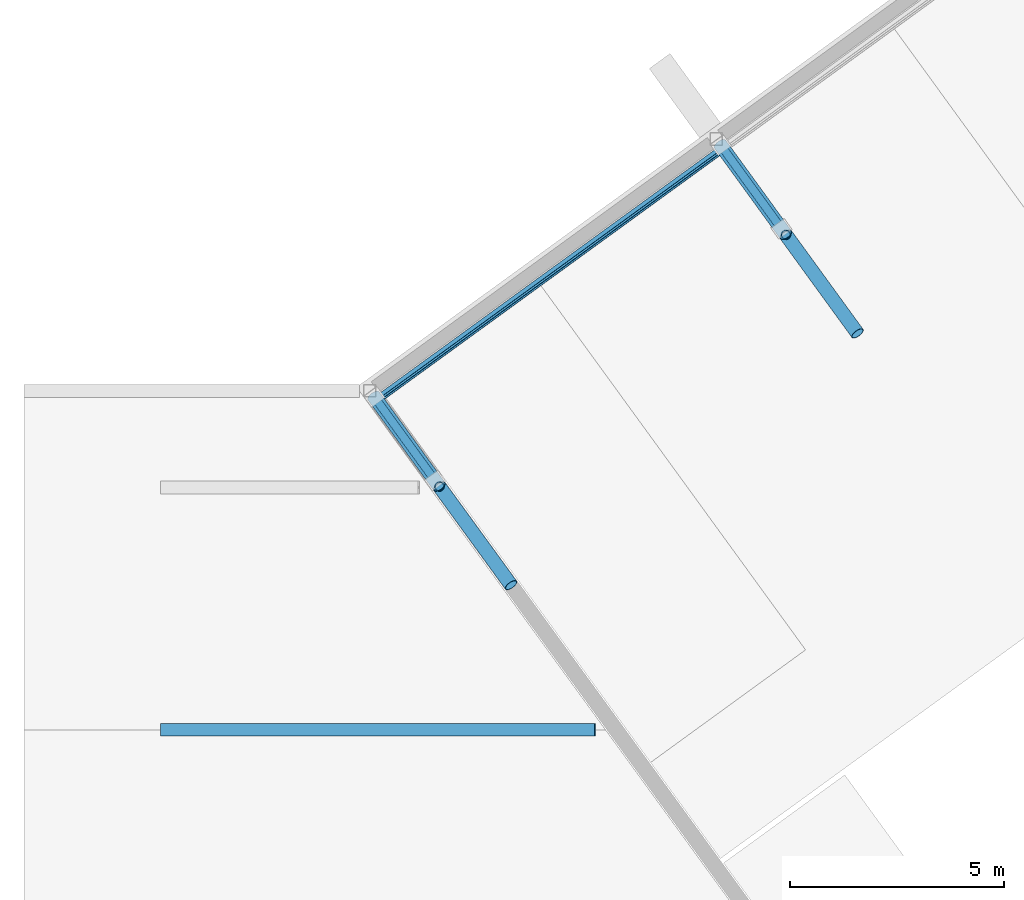
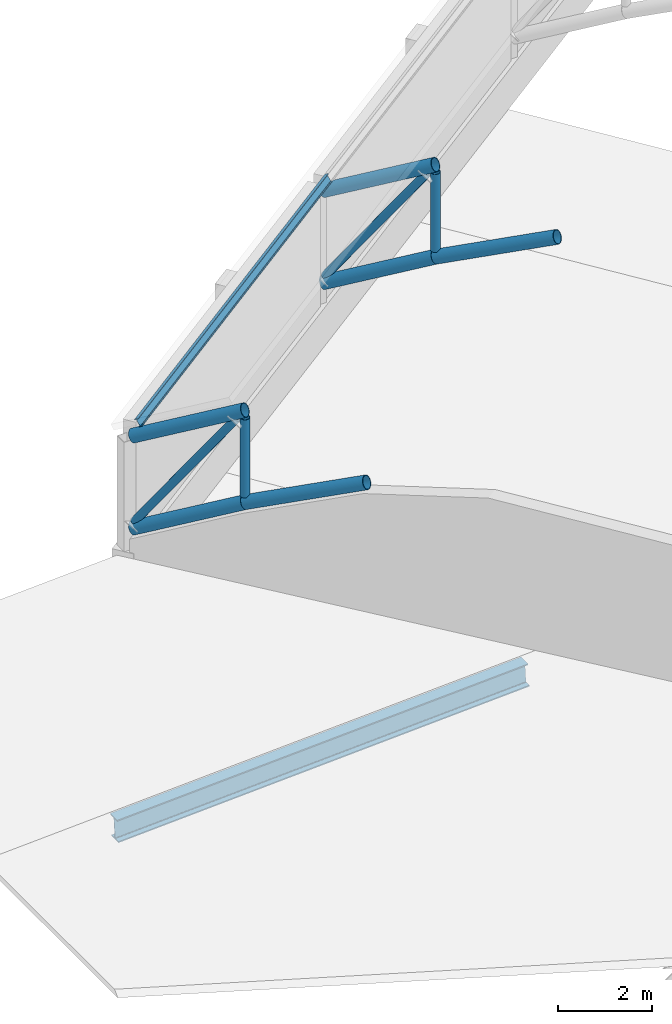
# One storey, part 96 of 196: 10 members, 2 beams.
"""IFC4 building model written with IfcOpenShell, lengths in metres."""

from ifc_helpers import new_model, si_unit, direction, frame, origin, origin_2d, place, context, subcontext, project, spatial, hollow_circle, i_section, extrude, material, material_profile, profile_set, type_object, element, save


model = new_model("IFC4")

# Units and contexts
model_context = context("Model", 3, precision=1e-05, world=origin(), true_north=direction((0.0, 1.0)))
body_context = subcontext(model_context, "Body", "Model", "MODEL_VIEW")
ifc_project = project(units=[si_unit("LENGTHUNIT", "METRE"), si_unit("AREAUNIT", "SQUARE_METRE"), si_unit("VOLUMEUNIT", "CUBIC_METRE"), si_unit("PLANEANGLEUNIT", "RADIAN"), si_unit("MASSUNIT", "GRAM", prefix="KILO")], contexts=[model_context])

# Site, building, storey
site_placement = place(None, origin())
site = spatial("IfcSite", under=ifc_project, at=site_placement, CompositionType="ELEMENT")
building_placement = place(site_placement, origin())
building = spatial("IfcBuilding", under=site, at=building_placement, Name="Okhra Congress Centre", CompositionType="ELEMENT")
storey_placement = place(building_placement, frame((0.0, 0.0, 12.0)))
storey = spatial("IfcBuildingStorey", under=building, at=storey_placement, Name="L02", CompositionType="ELEMENT", Elevation=12.0)

# Members
ifc_material_1 = material(Name="Steel S355J2H", Category="steel")
ifc_material_profile_1 = material_profile(ifc_material_1, hollow_circle(Radius=0.096923828125, WallThickness=0.010009765625, at=origin_2d()), Name="CHS 193.7x10")
ifc_profile_set_1 = profile_set([ifc_material_profile_1], Name="Steel S355J2H")
member_type_1 = type_object("IfcMemberType", Name="CHS 193.7x10", PredefinedType="BRACE", material=ifc_profile_set_1)
for number, where, z_axis, x_axis, name in (
    (1, (198.177001953125, 199.64892578125, 1.705810546875), (0.340441482182, -0.468644406713, 0.815151530248), (0.809056898295, 0.587730325338, 0.0), "Truss 1 diagonal 18"),
    (2, (206.26708984375, 205.526611328125, 1.705810546875), (0.340493544996, -0.468635010563, 0.815135186758), (0.809008555592, 0.587796867106, 0.0), "Truss 2 diagonal 18"),
):
    element("IfcMember", number, at=place(storey_placement, frame(where, z_axis=z_axis, x_axis=x_axis)), inside=storey, type_object=member_type_1, Name=name, PredefinedType="BRACE", context=body_context, shape_type="SweptSolid", body=[
        extrude(hollow_circle(Radius=0.096923828125, WallThickness=0.010009765625, at=origin_2d()), origin(), (0.0, 0.0, 1.0), 4.145751953125),
    ])
ifc_material_profile_2 = material_profile(ifc_material_1, hollow_circle(Radius=0.109619140625, WallThickness=0.008056640625, at=origin_2d()), Name="CHS 219.1x8")
ifc_profile_set_2 = profile_set([ifc_material_profile_2], Name="Steel S355J2H")
member_type_2 = type_object("IfcMemberType", Name="CHS 219.1x8", PredefinedType="POST", material=ifc_profile_set_2)
for number, where, z_axis, x_axis, name in (
    (3, (199.6953125, 197.55908203125, 3.1240234375), (0.0, 0.0, 1.0), (1.0, 0.0, 0.0), "Truss 1 post 17"),
    (4, (207.785400390625, 203.436767578125, 3.1240234375), (0.0, 0.0, 1.0), (1.0, 0.0, 0.0), "Truss 2 post 17"),
):
    element("IfcMember", number, at=place(storey_placement, frame(where, z_axis=z_axis, x_axis=x_axis)), inside=storey, type_object=member_type_2, Name=name, PredefinedType="POST", context=body_context, shape_type="SweptSolid", body=[
        extrude(hollow_circle(Radius=0.109619140625, WallThickness=0.008056640625, at=origin_2d()), origin(), (0.0, 0.0, 1.0), 2.033447265625),
    ])
ifc_material_profile_3 = material_profile(ifc_material_1, hollow_circle(Radius=0.161865234375, WallThickness=0.012451171875, at=origin_2d()), Name="CHS 323.9x12.5")
ifc_profile_set_3 = profile_set([ifc_material_profile_3], Name="Steel S355J2H")
member_type_3 = type_object("IfcMemberType", Name="CHS 323.9x12.5", PredefinedType="CHORD", material=ifc_profile_set_3)
member_1_placement = place(storey_placement, frame((201.36865234375, 195.255859375, 4.268310546875), z_axis=(-0.532696866834, 0.733215967568, -0.422644523175), x_axis=(-0.809025240298, -0.587773902586, 0.0)))
element("IfcMember", 5, at=member_1_placement, inside=storey, type_object=member_type_3, Name="Truss 1 bottom chord 17", PredefinedType="CHORD", context=body_context, shape_type="SweptSolid", body=[
    extrude(hollow_circle(Radius=0.161865234375, WallThickness=0.012451171875, at=origin_2d()), origin(), (0.0, 0.0, 1.0), 3.141357421875),
])
for number, where, z_axis, x_axis, name in (
    (6, (199.6953125, 197.55908203125, 2.940673828125), (-0.517401358597, 0.712084303088, -0.474585903097), (-0.808994395952, -0.587816355096, 0.0), "Truss 1 bottom chord 18"),
    (7, (199.6953125, 197.55908203125, 5.3408203125), (-0.517401358597, 0.712084303088, -0.474585903097), (-0.808994395952, -0.587816355096, 0.0), "Truss 1 top chord 18"),
):
    element("IfcMember", number, at=place(storey_placement, frame(where, z_axis=z_axis, x_axis=x_axis)), inside=storey, type_object=member_type_3, Name=name, PredefinedType="CHORD", context=body_context, shape_type="SweptSolid", body=[
        extrude(hollow_circle(Radius=0.161865234375, WallThickness=0.012451171875, at=origin_2d()), origin(), (0.0, 0.0, 1.0), 2.970947265625),
    ])
member_2_placement = place(storey_placement, frame((209.458740234375, 201.1337890625, 4.268310546875), z_axis=(-0.532727224068, 0.733180026938, -0.422668608766), x_axis=(-0.808995610274, -0.587814683856, 0.0)))
element("IfcMember", 8, at=member_2_placement, inside=storey, type_object=member_type_3, Name="Truss 2 bottom chord 17", PredefinedType="CHORD", context=body_context, shape_type="SweptSolid", body=[
    extrude(hollow_circle(Radius=0.161865234375, WallThickness=0.012451171875, at=origin_2d()), origin(), (0.0, 0.0, 1.0), 3.14111328125),
])
for number, where, z_axis, x_axis, name in (
    (9, (207.785400390625, 203.436767578125, 2.940673828125), (-0.517341175143, 0.71211458024, -0.474606082041), (-0.809038794154, -0.587755246301, 0.0), "Truss 2 bottom chord 18"),
    (10, (207.785400390625, 203.436767578125, 5.3408203125), (-0.517341175143, 0.71211458024, -0.474606082041), (-0.809038794154, -0.587755246301, 0.0), "Truss 2 top chord 18"),
):
    element("IfcMember", number, at=place(storey_placement, frame(where, z_axis=z_axis, x_axis=x_axis)), inside=storey, type_object=member_type_3, Name=name, PredefinedType="CHORD", context=body_context, shape_type="SweptSolid", body=[
        extrude(hollow_circle(Radius=0.161865234375, WallThickness=0.012451171875, at=origin_2d()), origin(), (0.0, 0.0, 1.0), 2.970703125),
    ])

# Beams
ifc_material_2 = material(Name="Steel S355J2", Category="steel")
ifc_material_profile_4 = material_profile(ifc_material_2, i_section(OverallWidth=0.300048828125, OverallDepth=0.60009765625, WebThickness=0.015380859375, FlangeThickness=0.030029296875, FilletRadius=0.027099609375, at=origin_2d()), Name="HE 600 B")
ifc_profile_set_4 = profile_set([ifc_material_profile_4], Name="Steel S355J2")
beam_type_1 = type_object("IfcBeamType", Name="HE 600 B", PredefinedType="BEAM", material=ifc_profile_set_4)
beam_1_placement = place(storey_placement, frame((193.199951171875, 191.8798828125, 0.1650390625), z_axis=(0.998629377071, 0.0, 0.052338964941), x_axis=(0.0, 1.0, 0.0)))
element("IfcBeam", 11, at=beam_1_placement, inside=storey, type_object=beam_type_1, Name="Foyer rafter 6", PredefinedType="BEAM", context=body_context, shape_type="SweptSolid", body=[
    extrude(i_section(OverallWidth=0.300048828125, OverallDepth=0.60009765625, WebThickness=0.015380859375, FlangeThickness=0.030029296875, FilletRadius=0.027099609375, at=origin_2d()), origin(), (0.0, 0.0, 1.0), 10.140869140625),
])
ifc_material_profile_5 = material_profile(ifc_material_2, i_section(OverallWidth=0.10009765625, OverallDepth=0.199951171875, WebThickness=0.005615234375, FlangeThickness=0.008544921875, FilletRadius=0.011962890625, at=origin_2d()), Name="IPE 200")
ifc_profile_set_5 = profile_set([ifc_material_profile_5], Name="Steel S355J2")
beam_type_2 = type_object("IfcBeamType", Name="IPE 200", PredefinedType="BEAM", material=ifc_profile_set_5)
beam_2_placement = place(storey_placement, frame((198.230712890625, 199.57470703125, 4.29150390625), z_axis=(0.809010490052, 0.58779420462, 0.0), x_axis=(-0.517377276636, 0.712092158826, -0.474600369743)))
element("IfcBeam", 12, at=beam_2_placement, inside=storey, type_object=beam_type_2, Name="Purlin 19.109", PredefinedType="BEAM", context=body_context, shape_type="SweptSolid", body=[
    extrude(i_section(OverallWidth=0.10009765625, OverallDepth=0.199951171875, WebThickness=0.005615234375, FlangeThickness=0.008544921875, FilletRadius=0.011962890625, at=origin_2d()), origin(), (0.0, 0.0, 1.0), 10.0),
])

save(model, "model.ifc")
